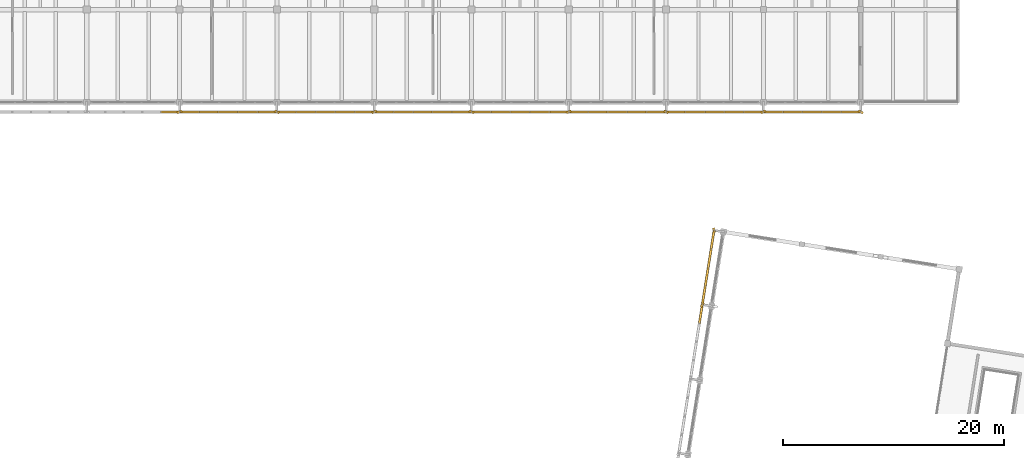
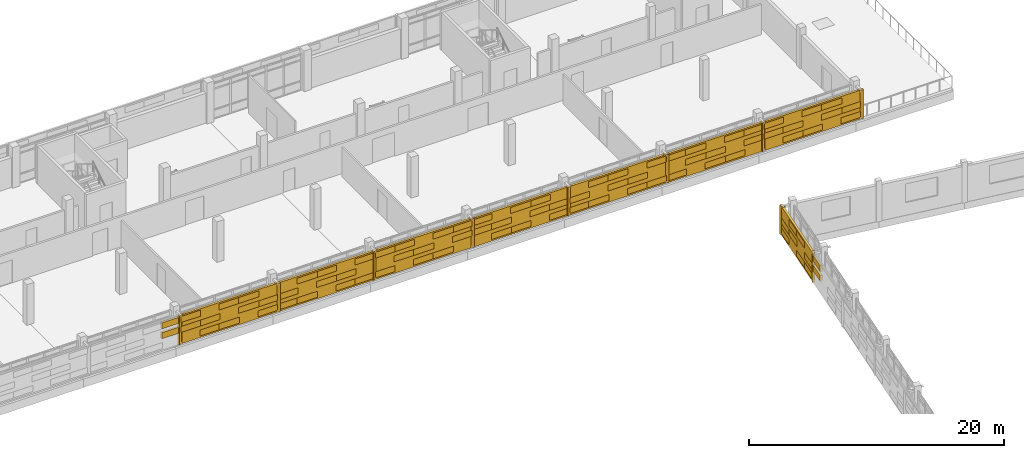
# One storey, part 113 of 117: 92 coverings, 8 shading devices.
"""IFC4 building model written with IfcOpenShell, lengths in metres."""

from ifc_helpers import new_model, si_unit, direction, frame, origin, origin_2d, place, context, subcontext, project, spatial, rectangle, extrude, material, layer, layer_set, type_object, element, save


model = new_model("IFC4")

# Units and contexts
model_context = context("Model", 3, precision=1e-05, world=origin(), true_north=direction((0.0, 1.0)))
body_context = subcontext(model_context, "Body", "Model", "MODEL_VIEW")
ifc_project = project(units=[si_unit("LENGTHUNIT", "METRE"), si_unit("AREAUNIT", "SQUARE_METRE"), si_unit("VOLUMEUNIT", "CUBIC_METRE"), si_unit("PLANEANGLEUNIT", "RADIAN"), si_unit("MASSUNIT", "GRAM", prefix="KILO")], contexts=[model_context])

# Site, building, storey
site_placement = place(None, origin())
site = spatial("IfcSite", under=ifc_project, at=site_placement, CompositionType="ELEMENT")
building_placement = place(site_placement, origin())
building = spatial("IfcBuilding", under=site, at=building_placement, Name="Cinderway Yard Community Centre", CompositionType="ELEMENT")
storey_placement = place(building_placement, frame((0.0, 0.0, 9.0)))
storey = spatial("IfcBuildingStorey", under=building, at=storey_placement, Name="L02", CompositionType="ELEMENT", Elevation=9.0)

# Coverings
ifc_material = material(Name="Brick Masonry", Category="masonry")
ifc_layer = layer(ifc_material, 0.18994140625, Name="Brick Masonry")
ifc_layer_set = layer_set([ifc_layer], Name="Brick Masonry")
covering_type = type_object("IfcCoveringType", Name="ENV-COV-BRK-SCREEN", PredefinedType="CLADDING", material=ifc_layer_set)
for number, where, z_axis, x_axis, name in (
    (1, (75.199951171875, 89.14990234375, 0.64990234375), (0.0, 0.0, 1.0), (-0.913545457643, -0.406736643076, 0.0), "Deconstructivist folded brick fin 0571"),
    (2, (84.0, 89.14990234375, 0.64990234375), (0.0, 0.0, 1.0), (-0.913545457643, 0.406736643076, 0.0), "Deconstructivist folded brick fin 0572"),
    (3, (92.800048828125, 89.14990234375, 0.64990234375), (0.0, 0.0, 1.0), (-0.913545457643, -0.406736643076, 0.0), "Deconstructivist folded brick fin 0573"),
    (4, (101.60009765625, 89.14990234375, 0.64990234375), (0.0, 0.0, 1.0), (-0.913545457643, 0.406736643076, 0.0), "Deconstructivist folded brick fin 0574"),
    (5, (110.39990234375, 89.14990234375, 0.64990234375), (0.0, 0.0, 1.0), (-0.913545457643, -0.406736643076, 0.0), "Deconstructivist folded brick fin 0575"),
    (6, (119.199951171875, 89.14990234375, 0.64990234375), (0.0, 0.0, 1.0), (-0.913545457643, 0.406736643076, 0.0), "Deconstructivist folded brick fin 0576"),
    (7, (128.0, 89.14990234375, 0.64990234375), (0.0, 0.0, 1.0), (-0.913545457643, -0.406736643076, 0.0), "Deconstructivist folded brick fin 0577"),
    (8, (136.800048828125, 89.14990234375, 0.64990234375), (0.0, 0.0, 1.0), (-0.913545457643, 0.406736643076, 0.0), "Deconstructivist folded brick fin 0578"),
):
    element("IfcCovering", number, at=place(storey_placement, frame(where, z_axis=z_axis, x_axis=x_axis)), inside=storey, type_object=covering_type, Name=name, PredefinedType="CLADDING", context=body_context, shape_type="SweptSolid", body=[
        extrude(rectangle(XDim=0.4599609375, YDim=0.199951171875, at=origin_2d()), origin(), (0.0, 0.0, 1.0), 2.75),
    ])
for number, where, z_axis, x_axis, name in (
    (9, (74.360107421875, 89.14990234375, 1.736328125), (0.0, 0.0, 1.0), (-1.0, 0.0, 0.0), "Open-bond perforated brick screen course 00614"),
    (10, (74.360107421875, 89.14990234375, 2.6826171875), (0.0, 0.0, 1.0), (-1.0, 0.0, 0.0), "Open-bond perforated brick screen course 00618"),
):
    element("IfcCovering", number, at=place(storey_placement, frame(where, z_axis=z_axis, x_axis=x_axis)), inside=storey, type_object=covering_type, Name=name, PredefinedType="CLADDING", context=body_context, shape_type="SweptSolid", body=[
        extrude(rectangle(XDim=1.760009765625, YDim=0.18994140625, at=origin_2d()), origin(), (0.0, 0.0, 1.0), 0.576904296875),
    ])
for number, where, z_axis, x_axis, name in (
    (11, (77.840087890625, 89.14990234375, 0.79052734375), (0.0, 0.0, 1.0), (-1.0, 0.0, 0.0), "Open-bond perforated brick screen course 00619"),
    (12, (79.60009765625, 89.14990234375, 0.79052734375), (0.0, 0.0, 1.0), (-1.0, 0.0, 0.0), "Open-bond perforated brick screen course 00620"),
    (13, (83.1201171875, 89.14990234375, 0.79052734375), (0.0, 0.0, 1.0), (-1.0, 0.0, 0.0), "Open-bond perforated brick screen course 00621"),
    (14, (76.080078125, 89.14990234375, 1.736328125), (0.0, 0.0, 1.0), (-1.0, 0.0, 0.0), "Open-bond perforated brick screen course 00622"),
    (15, (77.840087890625, 89.14990234375, 1.736328125), (0.0, 0.0, 1.0), (-1.0, 0.0, 0.0), "Open-bond perforated brick screen course 00623"),
    (16, (81.360107421875, 89.14990234375, 1.736328125), (0.0, 0.0, 1.0), (-1.0, 0.0, 0.0), "Open-bond perforated brick screen course 00624"),
    (17, (83.1201171875, 89.14990234375, 1.736328125), (0.0, 0.0, 1.0), (-1.0, 0.0, 0.0), "Open-bond perforated brick screen course 00625"),
    (18, (76.080078125, 89.14990234375, 2.6826171875), (0.0, 0.0, 1.0), (-1.0, 0.0, 0.0), "Open-bond perforated brick screen course 00626"),
    (19, (79.60009765625, 89.14990234375, 2.6826171875), (0.0, 0.0, 1.0), (-1.0, 0.0, 0.0), "Open-bond perforated brick screen course 00627"),
    (20, (81.360107421875, 89.14990234375, 2.6826171875), (0.0, 0.0, 1.0), (-1.0, 0.0, 0.0), "Open-bond perforated brick screen course 00628"),
    (21, (84.8798828125, 89.14990234375, 0.79052734375), (0.0, 0.0, 1.0), (-1.0, 0.0, 0.0), "Open-bond perforated brick screen course 00629"),
    (22, (86.639892578125, 89.14990234375, 0.79052734375), (0.0, 0.0, 1.0), (-1.0, 0.0, 0.0), "Open-bond perforated brick screen course 00630"),
    (23, (90.159912109375, 89.14990234375, 0.79052734375), (0.0, 0.0, 1.0), (-1.0, 0.0, 0.0), "Open-bond perforated brick screen course 00631"),
    (24, (91.919921875, 89.14990234375, 0.79052734375), (0.0, 0.0, 1.0), (-1.0, 0.0, 0.0), "Open-bond perforated brick screen course 00632"),
    (25, (84.8798828125, 89.14990234375, 1.736328125), (0.0, 0.0, 1.0), (-1.0, 0.0, 0.0), "Open-bond perforated brick screen course 00633"),
    (26, (88.39990234375, 89.14990234375, 1.736328125), (0.0, 0.0, 1.0), (-1.0, 0.0, 0.0), "Open-bond perforated brick screen course 00634"),
    (27, (90.159912109375, 89.14990234375, 1.736328125), (0.0, 0.0, 1.0), (-1.0, 0.0, 0.0), "Open-bond perforated brick screen course 00635"),
    (28, (86.639892578125, 89.14990234375, 2.6826171875), (0.0, 0.0, 1.0), (-1.0, 0.0, 0.0), "Open-bond perforated brick screen course 00636"),
    (29, (88.39990234375, 89.14990234375, 2.6826171875), (0.0, 0.0, 1.0), (-1.0, 0.0, 0.0), "Open-bond perforated brick screen course 00637"),
    (30, (91.919921875, 89.14990234375, 2.6826171875), (0.0, 0.0, 1.0), (-1.0, 0.0, 0.0), "Open-bond perforated brick screen course 00638"),
    (31, (93.679931640625, 89.14990234375, 0.79052734375), (0.0, 0.0, 1.0), (-1.0, 0.0, 0.0), "Open-bond perforated brick screen course 00639"),
    (32, (97.199951171875, 89.14990234375, 0.79052734375), (0.0, 0.0, 1.0), (-1.0, 0.0, 0.0), "Open-bond perforated brick screen course 00640"),
    (33, (98.9599609375, 89.14990234375, 0.79052734375), (0.0, 0.0, 1.0), (-1.0, 0.0, 0.0), "Open-bond perforated brick screen course 00641"),
    (34, (95.43994140625, 89.14990234375, 1.736328125), (0.0, 0.0, 1.0), (-1.0, 0.0, 0.0), "Open-bond perforated brick screen course 00642"),
    (35, (97.199951171875, 89.14990234375, 1.736328125), (0.0, 0.0, 1.0), (-1.0, 0.0, 0.0), "Open-bond perforated brick screen course 00643"),
    (36, (100.719970703125, 89.14990234375, 1.736328125), (0.0, 0.0, 1.0), (-1.0, 0.0, 0.0), "Open-bond perforated brick screen course 00644"),
    (37, (93.679931640625, 89.14990234375, 2.6826171875), (0.0, 0.0, 1.0), (-1.0, 0.0, 0.0), "Open-bond perforated brick screen course 00645"),
    (38, (95.43994140625, 89.14990234375, 2.6826171875), (0.0, 0.0, 1.0), (-1.0, 0.0, 0.0), "Open-bond perforated brick screen course 00646"),
    (39, (98.9599609375, 89.14990234375, 2.6826171875), (0.0, 0.0, 1.0), (-1.0, 0.0, 0.0), "Open-bond perforated brick screen course 00647"),
    (40, (100.719970703125, 89.14990234375, 2.6826171875), (0.0, 0.0, 1.0), (-1.0, 0.0, 0.0), "Open-bond perforated brick screen course 00648"),
    (41, (104.239990234375, 89.14990234375, 0.79052734375), (0.0, 0.0, 1.0), (-1.0, 0.0, 0.0), "Open-bond perforated brick screen course 00649"),
    (42, (106.0, 89.14990234375, 0.79052734375), (0.0, 0.0, 1.0), (-1.0, 0.0, 0.0), "Open-bond perforated brick screen course 00650"),
    (43, (109.52001953125, 89.14990234375, 0.79052734375), (0.0, 0.0, 1.0), (-1.0, 0.0, 0.0), "Open-bond perforated brick screen course 00651"),
    (44, (102.47998046875, 89.14990234375, 1.736328125), (0.0, 0.0, 1.0), (-1.0, 0.0, 0.0), "Open-bond perforated brick screen course 00652"),
    (45, (104.239990234375, 89.14990234375, 1.736328125), (0.0, 0.0, 1.0), (-1.0, 0.0, 0.0), "Open-bond perforated brick screen course 00653"),
    (46, (107.760009765625, 89.14990234375, 1.736328125), (0.0, 0.0, 1.0), (-1.0, 0.0, 0.0), "Open-bond perforated brick screen course 00654"),
    (47, (109.52001953125, 89.14990234375, 1.736328125), (0.0, 0.0, 1.0), (-1.0, 0.0, 0.0), "Open-bond perforated brick screen course 00655"),
    (48, (102.47998046875, 89.14990234375, 2.6826171875), (0.0, 0.0, 1.0), (-1.0, 0.0, 0.0), "Open-bond perforated brick screen course 00656"),
    (49, (106.0, 89.14990234375, 2.6826171875), (0.0, 0.0, 1.0), (-1.0, 0.0, 0.0), "Open-bond perforated brick screen course 00657"),
    (50, (107.760009765625, 89.14990234375, 2.6826171875), (0.0, 0.0, 1.0), (-1.0, 0.0, 0.0), "Open-bond perforated brick screen course 00658"),
    (51, (111.280029296875, 89.14990234375, 0.79052734375), (0.0, 0.0, 1.0), (-1.0, 0.0, 0.0), "Open-bond perforated brick screen course 00659"),
    (52, (113.0400390625, 89.14990234375, 0.79052734375), (0.0, 0.0, 1.0), (-1.0, 0.0, 0.0), "Open-bond perforated brick screen course 00660"),
    (53, (116.56005859375, 89.14990234375, 0.79052734375), (0.0, 0.0, 1.0), (-1.0, 0.0, 0.0), "Open-bond perforated brick screen course 00661"),
    (54, (118.320068359375, 89.14990234375, 0.79052734375), (0.0, 0.0, 1.0), (-1.0, 0.0, 0.0), "Open-bond perforated brick screen course 00662"),
    (55, (111.280029296875, 89.14990234375, 1.736328125), (0.0, 0.0, 1.0), (-1.0, 0.0, 0.0), "Open-bond perforated brick screen course 00663"),
    (56, (114.800048828125, 89.14990234375, 1.736328125), (0.0, 0.0, 1.0), (-1.0, 0.0, 0.0), "Open-bond perforated brick screen course 00664"),
    (57, (116.56005859375, 89.14990234375, 1.736328125), (0.0, 0.0, 1.0), (-1.0, 0.0, 0.0), "Open-bond perforated brick screen course 00665"),
    (58, (113.0400390625, 89.14990234375, 2.6826171875), (0.0, 0.0, 1.0), (-1.0, 0.0, 0.0), "Open-bond perforated brick screen course 00666"),
    (59, (114.800048828125, 89.14990234375, 2.6826171875), (0.0, 0.0, 1.0), (-1.0, 0.0, 0.0), "Open-bond perforated brick screen course 00667"),
    (60, (118.320068359375, 89.14990234375, 2.6826171875), (0.0, 0.0, 1.0), (-1.0, 0.0, 0.0), "Open-bond perforated brick screen course 00668"),
    (61, (120.080078125, 89.14990234375, 0.79052734375), (0.0, 0.0, 1.0), (-1.0, 0.0, 0.0), "Open-bond perforated brick screen course 00669"),
    (62, (123.60009765625, 89.14990234375, 0.79052734375), (0.0, 0.0, 1.0), (-1.0, 0.0, 0.0), "Open-bond perforated brick screen course 00670"),
    (63, (125.360107421875, 89.14990234375, 0.79052734375), (0.0, 0.0, 1.0), (-1.0, 0.0, 0.0), "Open-bond perforated brick screen course 00671"),
    (64, (121.840087890625, 89.14990234375, 1.736328125), (0.0, 0.0, 1.0), (-1.0, 0.0, 0.0), "Open-bond perforated brick screen course 00672"),
    (65, (123.60009765625, 89.14990234375, 1.736328125), (0.0, 0.0, 1.0), (-1.0, 0.0, 0.0), "Open-bond perforated brick screen course 00673"),
    (66, (127.1201171875, 89.14990234375, 1.736328125), (0.0, 0.0, 1.0), (-1.0, 0.0, 0.0), "Open-bond perforated brick screen course 00674"),
    (67, (120.080078125, 89.14990234375, 2.6826171875), (0.0, 0.0, 1.0), (-1.0, 0.0, 0.0), "Open-bond perforated brick screen course 00675"),
    (68, (121.840087890625, 89.14990234375, 2.6826171875), (0.0, 0.0, 1.0), (-1.0, 0.0, 0.0), "Open-bond perforated brick screen course 00676"),
    (69, (125.360107421875, 89.14990234375, 2.6826171875), (0.0, 0.0, 1.0), (-1.0, 0.0, 0.0), "Open-bond perforated brick screen course 00677"),
    (70, (127.1201171875, 89.14990234375, 2.6826171875), (0.0, 0.0, 1.0), (-1.0, 0.0, 0.0), "Open-bond perforated brick screen course 00678"),
    (71, (130.639892578125, 89.14990234375, 0.79052734375), (0.0, 0.0, 1.0), (-1.0, 0.0, 0.0), "Open-bond perforated brick screen course 00679"),
    (72, (132.39990234375, 89.14990234375, 0.79052734375), (0.0, 0.0, 1.0), (-1.0, 0.0, 0.0), "Open-bond perforated brick screen course 00680"),
    (73, (135.919921875, 89.14990234375, 0.79052734375), (0.0, 0.0, 1.0), (-1.0, 0.0, 0.0), "Open-bond perforated brick screen course 00681"),
    (74, (128.8798828125, 89.14990234375, 1.736328125), (0.0, 0.0, 1.0), (-1.0, 0.0, 0.0), "Open-bond perforated brick screen course 00682"),
    (75, (130.639892578125, 89.14990234375, 1.736328125), (0.0, 0.0, 1.0), (-1.0, 0.0, 0.0), "Open-bond perforated brick screen course 00683"),
    (76, (134.159912109375, 89.14990234375, 1.736328125), (0.0, 0.0, 1.0), (-1.0, 0.0, 0.0), "Open-bond perforated brick screen course 00684"),
    (77, (135.919921875, 89.14990234375, 1.736328125), (0.0, 0.0, 1.0), (-1.0, 0.0, 0.0), "Open-bond perforated brick screen course 00685"),
    (78, (128.8798828125, 89.14990234375, 2.6826171875), (0.0, 0.0, 1.0), (-1.0, 0.0, 0.0), "Open-bond perforated brick screen course 00686"),
    (79, (132.39990234375, 89.14990234375, 2.6826171875), (0.0, 0.0, 1.0), (-1.0, 0.0, 0.0), "Open-bond perforated brick screen course 00687"),
    (80, (134.159912109375, 89.14990234375, 2.6826171875), (0.0, 0.0, 1.0), (-1.0, 0.0, 0.0), "Open-bond perforated brick screen course 00688"),
):
    element("IfcCovering", number, at=place(storey_placement, frame(where, z_axis=z_axis, x_axis=x_axis)), inside=storey, type_object=covering_type, Name=name, PredefinedType="CLADDING", context=body_context, shape_type="SweptSolid", body=[
        extrude(rectangle(XDim=1.840087890625, YDim=0.18994140625, at=origin_2d()), origin(), (0.0, 0.0, 1.0), 0.576904296875),
    ])
for number, where, z_axis, x_axis, name in (
    (81, (122.47900390625, 71.714111328125, 0.64990234375), (0.0, 0.0, 1.0), (0.544639035015, 0.838670567945, 0.0), "Deconstructivist folded brick fin 1380"),
    (82, (123.54296875, 78.430908203125, 0.64990234375), (0.0, 0.0, 1.0), (-0.258819045103, 0.965925826289, 0.0), "Deconstructivist folded brick fin 1381"),
):
    element("IfcCovering", number, at=place(storey_placement, frame(where, z_axis=z_axis, x_axis=x_axis)), inside=storey, type_object=covering_type, Name=name, PredefinedType="CLADDING", context=body_context, shape_type="SweptSolid", body=[
        extrude(rectangle(XDim=0.4599609375, YDim=0.199951171875, at=origin_2d()), origin(), (0.0, 0.0, 1.0), 2.75),
    ])
for number, where, z_axis, x_axis, name in (
    (83, (122.345947265625, 70.8740234375, 1.736328125), (0.0, 0.0, 1.0), (0.15643446504, 0.987688340595, 0.0), "Open-bond perforated brick screen course 01418"),
    (84, (122.345947265625, 70.8740234375, 2.6826171875), (0.0, 0.0, 1.0), (0.15643446504, 0.987688340595, 0.0), "Open-bond perforated brick screen course 01421"),
    (85, (122.612060546875, 72.553955078125, 0.79052734375), (0.0, 0.0, 1.0), (0.15643446504, 0.987688340595, 0.0), "Open-bond perforated brick screen course 01422"),
    (86, (122.8779296875, 74.23291015625, 0.79052734375), (0.0, 0.0, 1.0), (0.15643446504, 0.987688340595, 0.0), "Open-bond perforated brick screen course 01423"),
    (87, (123.409912109375, 77.591064453125, 0.79052734375), (0.0, 0.0, 1.0), (0.15643446504, 0.987688340595, 0.0), "Open-bond perforated brick screen course 01424"),
    (88, (122.612060546875, 72.553955078125, 1.736328125), (0.0, 0.0, 1.0), (0.15643446504, 0.987688340595, 0.0), "Open-bond perforated brick screen course 01425"),
    (89, (123.14404296875, 75.912109375, 1.736328125), (0.0, 0.0, 1.0), (0.15643446504, 0.987688340595, 0.0), "Open-bond perforated brick screen course 01426"),
    (90, (123.409912109375, 77.591064453125, 1.736328125), (0.0, 0.0, 1.0), (0.15643446504, 0.987688340595, 0.0), "Open-bond perforated brick screen course 01427"),
    (91, (122.8779296875, 74.23291015625, 2.6826171875), (0.0, 0.0, 1.0), (0.15643446504, 0.987688340595, 0.0), "Open-bond perforated brick screen course 01428"),
    (92, (123.14404296875, 75.912109375, 2.6826171875), (0.0, 0.0, 1.0), (0.15643446504, 0.987688340595, 0.0), "Open-bond perforated brick screen course 01429"),
):
    element("IfcCovering", number, at=place(storey_placement, frame(where, z_axis=z_axis, x_axis=x_axis)), inside=storey, type_object=covering_type, Name=name, PredefinedType="CLADDING", context=body_context, shape_type="SweptSolid", body=[
        extrude(rectangle(XDim=1.780029296875, YDim=0.18994140625, at=origin_2d()), origin(), (0.0, 0.0, 1.0), 0.576904296875),
    ])

# Shading devices
shading_device_type = type_object("IfcShadingDeviceType", Name="ENV-SHD-BRICKSCREEN-A", PredefinedType="USERDEFINED", material=ifc_material)
for number, where, z_axis, x_axis, name in (
    (93, (79.60009765625, 89.14990234375, 0.64990234375), (0.0, 0.0, 1.0), (-1.0, 0.0, 0.0), "V4 Courtyard Perforated Brick Screen 0454"),
    (94, (88.39990234375, 89.14990234375, 0.64990234375), (0.0, 0.0, 1.0), (-1.0, 0.0, 0.0), "V4 Courtyard Perforated Brick Screen 0462"),
    (95, (97.199951171875, 89.14990234375, 0.64990234375), (0.0, 0.0, 1.0), (-1.0, 0.0, 0.0), "V4 Courtyard Perforated Brick Screen 0470"),
    (96, (106.0, 89.14990234375, 0.64990234375), (0.0, 0.0, 1.0), (-1.0, 0.0, 0.0), "V4 Courtyard Perforated Brick Screen 0478"),
    (97, (114.800048828125, 89.14990234375, 0.64990234375), (0.0, 0.0, 1.0), (-1.0, 0.0, 0.0), "V4 Courtyard Perforated Brick Screen 0486"),
    (98, (123.60009765625, 89.14990234375, 0.64990234375), (0.0, 0.0, 1.0), (-1.0, 0.0, 0.0), "V4 Courtyard Perforated Brick Screen 0494"),
    (99, (132.39990234375, 89.14990234375, 0.64990234375), (0.0, 0.0, 1.0), (-1.0, 0.0, 0.0), "V4 Courtyard Perforated Brick Screen 0502"),
):
    element("IfcShadingDevice", number, at=place(storey_placement, frame(where, z_axis=z_axis, x_axis=x_axis)), inside=storey, type_object=shading_device_type, Name=name, ObjectType="PERFORATED BRICK SCREEN", PredefinedType="USERDEFINED", context=body_context, shape_type="SweptSolid", body=[
        extrude(rectangle(XDim=8.60009765625, YDim=0.18994140625, at=origin_2d()), origin(), (0.0, 0.0, 1.0), 2.75),
    ])
shading_device_placement = place(storey_placement, frame((123.010986328125, 75.072021484375, 0.64990234375), z_axis=(0.0, 0.0, 1.0), x_axis=(0.15643446504, 0.987688340595, 0.0)))
element("IfcShadingDevice", 100, at=shading_device_placement, inside=storey, type_object=shading_device_type, Name="Sports Hall Courtyard Perforated Brick Screen 1082", ObjectType="PERFORATED BRICK SCREEN", PredefinedType="USERDEFINED", context=body_context, shape_type="SweptSolid", body=[
    extrude(rectangle(XDim=6.60107421875, YDim=0.18994140625, at=origin_2d()), origin(), (0.0, 0.0, 1.0), 2.75),
])

save(model, "model.ifc")
